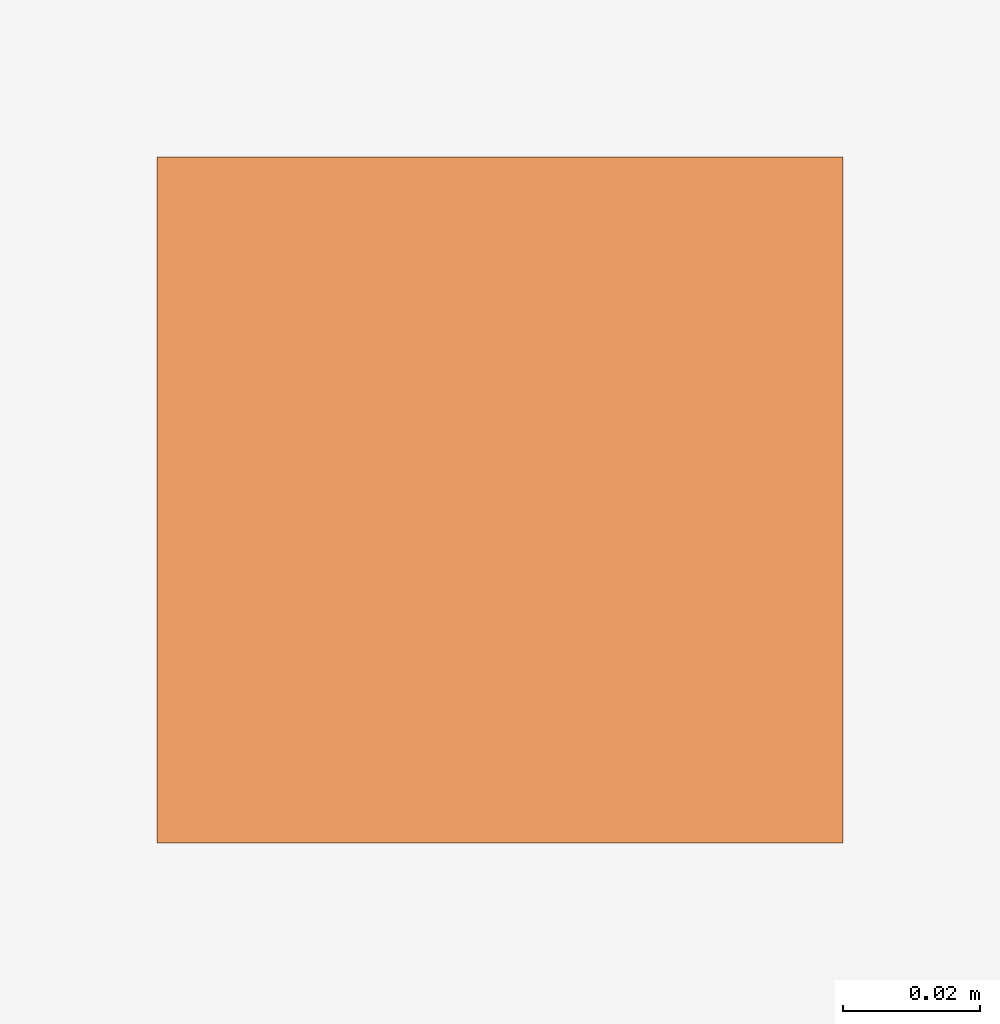
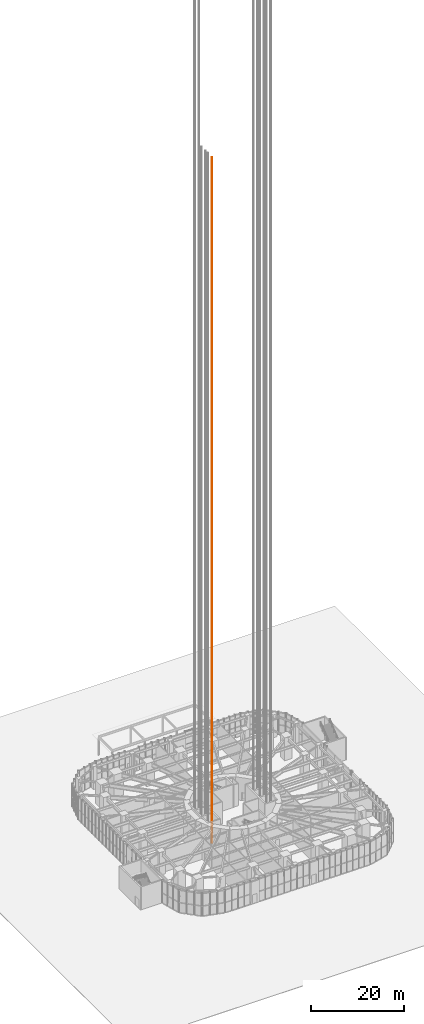
# One storey, part 32 of 43: 1 proxy.
"""IFC4 building model written with IfcOpenShell, lengths in metres."""

import ifcopenshell
import ifcopenshell.guid

model = None  # the IFC model being written
_history = None  # IfcOwnerHistory: only IFC2X3 demands one
_inside = {}  # id of a spatial element -> (the spatial element, [elements in it])
_under = {}  # id of a project, library or spatial element -> (it, [spatial elements below it])
_declared = {}  # id of a project -> (the project, [libraries it declares])
_typed = {}  # id of a type object -> (the type object, [elements of that type])
_made_of = {}  # id of a material, layer set ... -> (it, [elements and type objects made of it])


def new_model(schema):
    """Start an empty IFC model of exactly this schema.

    Asked for "IFC4X3", IfcOpenShell would pick the latest addendum, in which some entities
    have other attributes; the version numbers below select the first issue.
    IFC2X3 requires an IfcOwnerHistory on every rooted entity: one is made here for all.
    """
    global model, _history
    if schema == "IFC4X3":
        model = ifcopenshell.file(schema_version=(4, 3, 0, 0))
    else:
        model = ifcopenshell.file(schema=schema)
    _inside.clear()
    _under.clear()
    _declared.clear()
    _typed.clear()
    _made_of.clear()
    _history = None
    if model.schema == "IFC2X3":
        org = make("IfcOrganization", Name="unknown")
        user = make(
            "IfcPersonAndOrganization",
            ThePerson=make("IfcPerson", FamilyName="unknown"),
            TheOrganization=org,
        )
        app = make(
            "IfcApplication",
            ApplicationDeveloper=org,
            Version="unknown",
            ApplicationFullName="unknown",
            ApplicationIdentifier="unknown",
        )
        _history = make(
            "IfcOwnerHistory",
            OwningUser=user,
            OwningApplication=app,
            ChangeAction="ADDED",
            CreationDate=0,
        )
    return model


def make(cls, **values):
    """One entity of the class cls with the attributes given. An attribute that is None is left unset."""
    return model.create_entity(
        cls, **{name: value for name, value in values.items() if value is not None}
    )


def rooted(cls, **values):
    """An entity with a GlobalId (a new one), such as an element, a storey or a relation."""
    return make(cls, GlobalId=ifcopenshell.guid.new(), OwnerHistory=_history, **values)


def si_unit(unit_type, name, prefix=None):
    """IfcSIUnit, for example si_unit("LENGTHUNIT", "METRE", prefix="MILLI")."""
    return make("IfcSIUnit", UnitType=unit_type, Prefix=prefix, Name=name)


def assignment(units):
    """IfcUnitAssignment: the units of a project."""
    return None if units is None else make("IfcUnitAssignment", Units=units)


def point(xyz):
    """IfcCartesianPoint."""
    return None if xyz is None else make("IfcCartesianPoint", Coordinates=xyz)


def direction(xyz):
    """IfcDirection."""
    return None if xyz is None else make("IfcDirection", DirectionRatios=xyz)


def frame(location, z_axis=None, x_axis=None):
    """IfcAxis2Placement3D, a coordinate frame: its origin and axes. An axis left out is left unset."""
    return make(
        "IfcAxis2Placement3D",
        Location=point(location),
        Axis=direction(z_axis),
        RefDirection=direction(x_axis),
    )


def frame_2d(location, x_axis=None):
    """IfcAxis2Placement2D, a coordinate frame in the plane: its origin and x axis."""
    return make(
        "IfcAxis2Placement2D", Location=point(location), RefDirection=direction(x_axis)
    )


def origin():
    """The frame at (0, 0, 0) with its axes left unset."""
    return frame((0.0, 0.0, 0.0))


def origin_2d():
    """The frame at (0, 0) in the plane with its x axis left unset."""
    return frame_2d((0.0, 0.0))


def place(relative_to, where):
    """IfcLocalPlacement: puts the frame where relative to a parent placement (None: the world)."""
    return make(
        "IfcLocalPlacement", PlacementRelTo=relative_to, RelativePlacement=where
    )


def context(
    kind, dimensions, precision=None, world=None, true_north=None, identifier=None
):
    """IfcGeometricRepresentationContext, for example the 3D "Model" context."""
    return make(
        "IfcGeometricRepresentationContext",
        ContextIdentifier=identifier,
        ContextType=kind,
        CoordinateSpaceDimension=dimensions,
        Precision=precision,
        WorldCoordinateSystem=world,
        TrueNorth=true_north,
    )


def subcontext(parent, identifier, kind, view, scale=None):
    """IfcGeometricRepresentationSubContext, for example "Body" below "Model"."""
    return make(
        "IfcGeometricRepresentationSubContext",
        ContextIdentifier=identifier,
        ContextType=kind,
        ParentContext=parent,
        TargetScale=scale,
        TargetView=view,
    )


def project(units=None, contexts=None):
    """IfcProject with its units and contexts."""
    return rooted(
        "IfcProject",
        Name="project",
        RepresentationContexts=contexts,
        UnitsInContext=assignment(units),
    )


def spatial(cls, under=None, at=None, **own):
    """A site, building, storey or space (cls), placed at a placement, below another one or the project."""
    s = rooted(cls, ObjectPlacement=at, **own)
    if under is not None:
        _under.setdefault(under.id(), (under, []))[1].append(s)
    return s


def profile(cls, at=None, kind="AREA", **sizes):
    """A parametric profile (cls). Its sizes go by their IFC names, for example OverallWidth=200.0."""
    return make(cls, ProfileType=kind, Position=at, **sizes)


def rectangle(**sizes):
    """IfcRectangleProfileDef."""
    return profile("IfcRectangleProfileDef", **sizes)


def extrude(swept, where, along, depth):
    """IfcExtrudedAreaSolid: the profile swept, set in the frame where, extruded along a direction by depth."""
    return make(
        "IfcExtrudedAreaSolid",
        SweptArea=swept,
        Position=where,
        ExtrudedDirection=direction(along),
        Depth=depth,
    )


def shape(context_of_items, identifier, shape_type, items):
    """IfcShapeRepresentation: the items that make up one representation, for example the "Body"."""
    return make(
        "IfcShapeRepresentation",
        ContextOfItems=context_of_items,
        RepresentationIdentifier=identifier,
        RepresentationType=shape_type,
        Items=items,
    )


def material(Name=None, Category=None):
    """IfcMaterial."""
    return make("IfcMaterial", Name=Name, Category=Category)


def made_of(thing, what):
    """Note that an element or type object is made of a material, layer set ...; save() writes the relation."""
    if what is not None:
        _made_of.setdefault(what.id(), (what, []))[1].append(thing)
    return thing


def type_object(cls, material=None, **own):
    """A type object (cls), such as IfcWallType, which elements share."""
    return made_of(rooted(cls, **own), material)


def element(
    cls,
    number,
    at=None,
    inside=None,
    cuts=None,
    type_object=None,
    material=None,
    context=None,
    identifier="Body",
    shape_type=None,
    held_by="IfcProductDefinitionShape",
    body=None,
    shapes=None,
    **own,
):
    """One element of the class cls, such as IfcWall. Its Tag is "e" and its number.

    at: its placement. inside: the storey or other place that contains it. cuts: it is an
    opening in that element (IfcRelVoidsElement). A single representation is given by context,
    identifier, shape_type and body (its items); several are given by shapes. held_by: the class
    of the entity that holds the representations. save() writes the other relations.
    """
    e = rooted(cls, Tag="e%d" % number, ObjectPlacement=at, **own)
    if body is not None:
        shapes = [shape(context, identifier, shape_type, body)]
    if shapes is not None:
        e.Representation = make(held_by, Representations=shapes)
    if inside is not None:
        _inside.setdefault(inside.id(), (inside, []))[1].append(e)
    if cuts is not None:
        rooted(
            "IfcRelVoidsElement", RelatingBuildingElement=cuts, RelatedOpeningElement=e
        )
    if type_object is not None:
        _typed.setdefault(type_object.id(), (type_object, []))[1].append(e)
    return made_of(e, material)


def aggregate(whole, parts):
    """IfcRelAggregates: a whole, such as a stair, and the parts it consists of."""
    return rooted("IfcRelAggregates", RelatingObject=whole, RelatedObjects=parts)


def save(model, path):
    """Write the relations noted so far, then the file.

    IfcRelAggregates (storeys below a building ...), IfcRelContainedInSpatialStructure (elements
    in a storey), IfcRelDefinesByType, IfcRelAssociatesMaterial and IfcRelDeclares: one each for
    every whole, place, type object, material and project.
    """
    for whole, parts in _under.values():
        aggregate(whole, parts)
    for where, things in _inside.values():
        rooted(
            "IfcRelContainedInSpatialStructure",
            RelatedElements=things,
            RelatingStructure=where,
        )
    for kind, things in _typed.values():
        rooted("IfcRelDefinesByType", RelatedObjects=things, RelatingType=kind)
    for what, things in _made_of.values():
        rooted("IfcRelAssociatesMaterial", RelatedObjects=things, RelatingMaterial=what)
    for by, libraries in _declared.values():
        rooted("IfcRelDeclares", RelatingContext=by, RelatedDefinitions=libraries)
    model.write(path)


model = new_model("IFC4")

# Units and contexts
model_context = context("Model", 3, precision=1e-05, world=origin(), true_north=direction((0.0, 1.0)))
body_context = subcontext(model_context, "Body", "Model", "MODEL_VIEW")
ifc_project = project(units=[si_unit("LENGTHUNIT", "METRE"), si_unit("AREAUNIT", "SQUARE_METRE"), si_unit("VOLUMEUNIT", "CUBIC_METRE"), si_unit("PLANEANGLEUNIT", "RADIAN"), si_unit("MASSUNIT", "GRAM", prefix="KILO")], contexts=[model_context])

# Site, building, storey
site_placement = place(None, origin())
site = spatial("IfcSite", under=ifc_project, at=site_placement, CompositionType="ELEMENT")
building_placement = place(site_placement, origin())
building = spatial("IfcBuilding", under=site, at=building_placement, Name="Nakasero Lantern House", CompositionType="ELEMENT")
storey_placement = place(building_placement, origin())
storey = spatial("IfcBuildingStorey", under=building, at=storey_placement, Name="L00", CompositionType="ELEMENT", Elevation=0.0)

# Proxy
ifc_material = material(Name="Steel S355", Category="steel")
building_element_proxy_type = type_object("IfcBuildingElementProxyType", Name="Lift guide rail", PredefinedType="ELEMENT", material=ifc_material)
proxy_placement = place(storey_placement, frame((-7.300048828125, -3.699951171875, 0.0), z_axis=(0.0, 0.0, 1.0), x_axis=(1.0, 0.0, 0.0)))
element("IfcBuildingElementProxy", 1, at=proxy_placement, inside=storey, type_object=building_element_proxy_type, Name="Guide rail PLW1 1", PredefinedType="ELEMENT", context=body_context, shape_type="SweptSolid", body=[
    extrude(rectangle(XDim=0.10009765625, YDim=0.10009765625, at=origin_2d()), origin(), (0.0, 0.0, 1.0), 180.050048828125),
])

save(model, "model.ifc")
